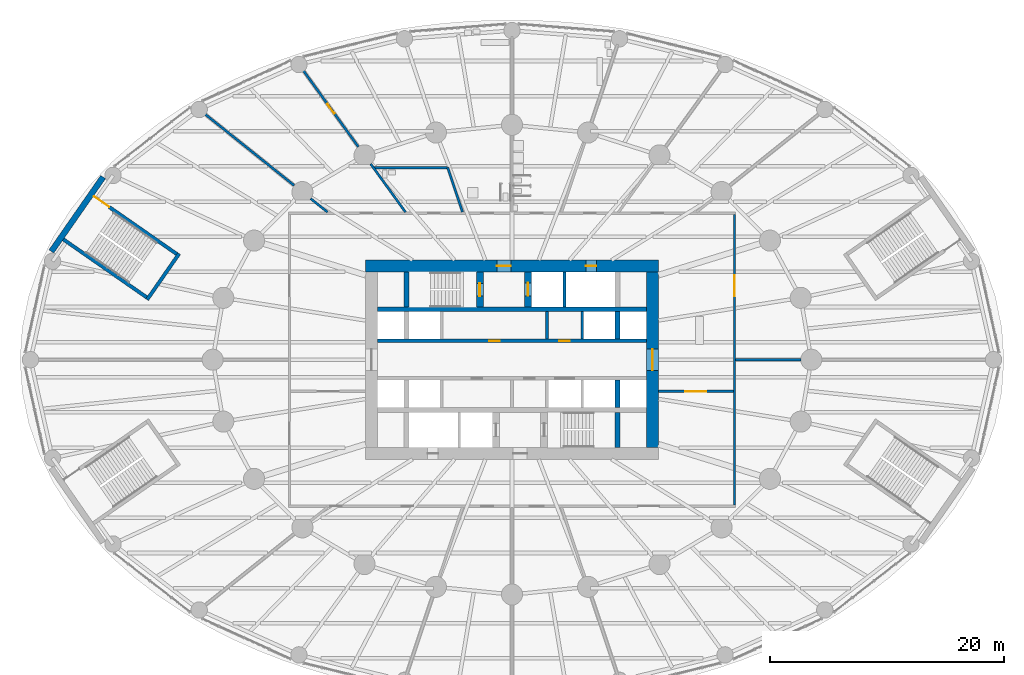
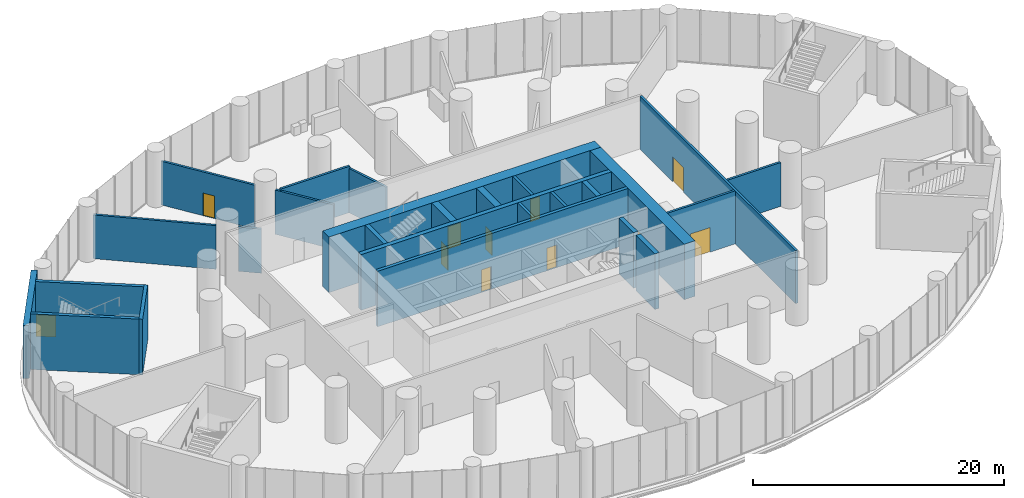
# One storey, part 17 of 23: 26 walls, 11 doors, 11 openings.
"""IFC4 building model written with IfcOpenShell, lengths in metres."""

from ifc_helpers import new_model, si_unit, direction, frame, frame_2d, origin, place, context, subcontext, project, spatial, rectangle, extrude, material, layer, layer_set, type_object, element, fill, save


model = new_model("IFC4")

# Units and contexts
model_context = context("Model", 3, precision=1e-05, world=origin(), true_north=direction((0.0, 1.0)))
body_context = subcontext(model_context, "Body", "Model", "MODEL_VIEW")
ifc_project = project(units=[si_unit("LENGTHUNIT", "METRE"), si_unit("AREAUNIT", "SQUARE_METRE"), si_unit("VOLUMEUNIT", "CUBIC_METRE"), si_unit("PLANEANGLEUNIT", "RADIAN"), si_unit("MASSUNIT", "GRAM", prefix="KILO")], contexts=[model_context])

# Site, building, storey
site_placement = place(None, origin())
site = spatial("IfcSite", under=ifc_project, at=site_placement, CompositionType="ELEMENT")
building_placement = place(site_placement, origin())
building = spatial("IfcBuilding", under=site, at=building_placement, Name="Hankou Lantern Tower", CompositionType="ELEMENT")
storey_placement = place(building_placement, frame((0.0, 0.0, 19.199951171875)))
storey = spatial("IfcBuildingStorey", under=building, at=storey_placement, Name="L03", CompositionType="ELEMENT", Elevation=19.199951171875)

# Wall, openings, doors
ifc_material_1 = material(Name="Concrete C60", Category="concrete")
ifc_layer_1 = layer(ifc_material_1, 1.0)
ifc_layer_set_1 = layer_set([ifc_layer_1], Name="Concrete C60")
wall_type_1 = type_object("IfcWallType", Name="CW1 CORE WALL 1000", PredefinedType="SHEAR", material=ifc_layer_set_1)
wall_1_placement = place(storey_placement, frame((-12.5, 8.0, 0.0), z_axis=(0.0, 0.0, 1.0), x_axis=(1.0, 0.0, 0.0)))
wall_1 = element("IfcWall", 1, at=wall_1_placement, inside=storey, type_object=wall_type_1, Name="Core wall north L03", PredefinedType="SHEAR", context=body_context, shape_type="SweptSolid", body=[
    extrude(rectangle(XDim=25.0, YDim=1.0, at=frame_2d((12.5, 0.0))), origin(), (0.0, 0.0, 1.0), 5.400146484375),
])
opening_1_placement = place(wall_1_placement, frame((11.199951171875, 0.0, 0.0)))
opening_1 = element("IfcOpeningElement", 2, at=opening_1_placement, cuts=wall_1, Name="Opening D5", PredefinedType="OPENING", context=body_context, shape_type="SweptSolid", body=[
    extrude(rectangle(XDim=1.199951171875, YDim=2.199951171875, at=frame_2d((0.60009765625, 1.10009765625))), frame((0.0, 0.510009765625, 0.0), z_axis=(0.0, -1.0, 0.0), x_axis=(1.0, 0.0, 0.0)), (0.0, 0.0, 1.0), 1.02001953125),
])
opening_2_placement = place(wall_1_placement, frame((18.800048828125, 0.0, 0.0)))
opening_2 = element("IfcOpeningElement", 3, at=opening_2_placement, cuts=wall_1, Name="Opening D7", PredefinedType="OPENING", context=body_context, shape_type="SweptSolid", body=[
    extrude(rectangle(XDim=0.89990234375, YDim=2.199951171875, at=frame_2d((0.449951171875, 1.10009765625))), frame((0.0, 0.510009765625, 0.0), z_axis=(0.0, -1.0, 0.0), x_axis=(1.0, 0.0, 0.0)), (0.0, 0.0, 1.0), 1.02001953125),
])
ifc_material_2 = material(Name="Steel door leaf", Category="steel")
door_type_1 = type_object("IfcDoorType", Name="D5 STAIR LOBBY DOOR 1200X2200", OperationType="SINGLE_SWING_LEFT", PredefinedType="DOOR", material=ifc_material_2)
door_1_placement = place(opening_1_placement, origin())
door_1 = element("IfcDoor", 4, at=door_1_placement, inside=storey, type_object=door_type_1, Name="Stair A lobby door", OperationType="SINGLE_SWING_LEFT", OverallHeight=2.199951171875, OverallWidth=1.199951171875, PredefinedType="DOOR", context=body_context, shape_type="SweptSolid", body=[
    extrude(rectangle(XDim=1.199951171875, YDim=2.199951171875, at=frame_2d((0.60009765625, 1.10009765625))), frame((0.0, 0.02490234375, 0.0), z_axis=(0.0, -1.0, 0.0), x_axis=(1.0, 0.0, 0.0)), (0.0, 0.0, 1.0), 0.050048828125),
])
fill(opening_1, door_1)
ifc_material_3 = material(Name="Steel door leaf", Category="steel")
door_type_2 = type_object("IfcDoorType", Name="D7 RISER DOOR 900X2200", OperationType="SINGLE_SWING_LEFT", PredefinedType="DOOR", material=ifc_material_3)
door_2_placement = place(opening_2_placement, origin())
door_2 = element("IfcDoor", 5, at=door_2_placement, inside=storey, type_object=door_type_2, Name="Riser N1 door", OperationType="SINGLE_SWING_RIGHT", OverallHeight=2.199951171875, OverallWidth=0.89990234375, PredefinedType="DOOR", context=body_context, shape_type="SweptSolid", body=[
    extrude(rectangle(XDim=0.89990234375, YDim=2.199951171875, at=frame_2d((0.449951171875, 1.10009765625))), frame((0.0, 0.02490234375, 0.0), z_axis=(0.0, -1.0, 0.0), x_axis=(1.0, 0.0, 0.0)), (0.0, 0.0, 1.0), 0.050048828125),
])
fill(opening_2, door_2)

# Wall, opening, door
wall_2_placement = place(storey_placement, frame((12.0, -7.5, 0.0), z_axis=(0.0, 0.0, 1.0), x_axis=(0.0, 1.0, 0.0)))
wall_2 = element("IfcWall", 6, at=wall_2_placement, inside=storey, type_object=wall_type_1, Name="Core wall east L03", PredefinedType="SHEAR", context=body_context, shape_type="SweptSolid", body=[
    extrude(rectangle(XDim=15.0, YDim=1.0, at=frame_2d((7.5, 0.0))), origin(), (0.0, 0.0, 1.0), 5.400146484375),
])
opening_3_placement = place(wall_2_placement, frame((6.60009765625, 0.0, 0.0)))
opening_3 = element("IfcOpeningElement", 7, at=opening_3_placement, cuts=wall_2, Name="Opening D6", PredefinedType="OPENING", context=body_context, shape_type="SweptSolid", body=[
    extrude(rectangle(XDim=1.800048828125, YDim=2.199951171875, at=frame_2d((0.89990234375, 1.10009765625))), frame((0.0, 0.510009765625, 0.0), z_axis=(0.0, -1.0, 0.0), x_axis=(1.0, 0.0, 0.0)), (0.0, 0.0, 1.0), 1.02001953125),
])
ifc_material_4 = material(Name="Steel door leaf", Category="steel")
door_type_3 = type_object("IfcDoorType", Name="D6 LIFT LOBBY DOOR 1800X2200", OperationType="DOUBLE_DOOR_DOUBLE_SWING", PredefinedType="DOOR", material=ifc_material_4)
door_3_placement = place(opening_3_placement, origin())
door_3 = element("IfcDoor", 8, at=door_3_placement, inside=storey, type_object=door_type_3, Name="Lift lobby east door", OperationType="DOUBLE_DOOR_DOUBLE_SWING", OverallHeight=2.199951171875, OverallWidth=1.800048828125, PredefinedType="DOOR", context=body_context, shape_type="SweptSolid", body=[
    extrude(rectangle(XDim=1.800048828125, YDim=2.199951171875, at=frame_2d((0.89990234375, 1.10009765625))), frame((0.0, 0.02490234375, 0.0), z_axis=(0.0, -1.0, 0.0), x_axis=(1.0, 0.0, 0.0)), (0.0, 0.0, 1.0), 0.050048828125),
])
fill(opening_3, door_3)

# Walls
ifc_material_5 = material(Name="Concrete C60", Category="concrete")
ifc_layer_2 = layer(ifc_material_5, 0.39990234375)
ifc_layer_set_2 = layer_set([ifc_layer_2], Name="Concrete C60")
wall_type_2 = type_object("IfcWallType", Name="CW4 CORE CROSS WALL 400", PredefinedType="SHEAR", material=ifc_layer_set_2)
wall_3_placement = place(storey_placement, frame((-11.5, 4.300048828125, 0.0), z_axis=(0.0, 0.0, 1.0), x_axis=(1.0, 0.0, 0.0)))
element("IfcWall", 9, at=wall_3_placement, inside=storey, type_object=wall_type_2, Name="Core band wall north L03", PredefinedType="SHEAR", context=body_context, shape_type="SweptSolid", body=[
    extrude(rectangle(XDim=23.0, YDim=0.39990234375, at=frame_2d((11.5, 0.0))), origin(), (0.0, 0.0, 1.0), 5.400146484375),
])
wall_4_placement = place(storey_placement, frame((-9.0, 4.5, 0.0), z_axis=(0.0, 0.0, 1.0), x_axis=(0.0, 1.0, 0.0)))
element("IfcWall", 10, at=wall_4_placement, inside=storey, type_object=wall_type_2, Name="Core strip wall L03", PredefinedType="SHEAR", context=body_context, shape_type="SweptSolid", body=[
    extrude(rectangle(XDim=3.0, YDim=0.39990234375, at=frame_2d((1.5, 0.0))), origin(), (0.0, 0.0, 1.0), 5.400146484375),
])
for number, where, z_axis, x_axis, name in (
    (11, (9.0, 1.75, 0.0), (0.0, 0.0, 1.0), (0.0, 1.0, 0.0), "Core strip wall L03"),
    (12, (9.0, -4.10009765625, 0.0), (0.0, 0.0, 1.0), (0.0, 1.0, 0.0), "Core strip wall L03"),
):
    element("IfcWall", number, at=place(storey_placement, frame(where, z_axis=z_axis, x_axis=x_axis)), inside=storey, type_object=wall_type_2, Name=name, PredefinedType="SHEAR", context=body_context, shape_type="SweptSolid", body=[
        extrude(rectangle(XDim=2.35009765625, YDim=0.39990234375, at=frame_2d((1.175048828125, 0.0))), origin(), (0.0, 0.0, 1.0), 5.400146484375),
    ])
wall_5_placement = place(storey_placement, frame((9.0, -7.5, 0.0), z_axis=(0.0, 0.0, 1.0), x_axis=(0.0, 1.0, 0.0)))
element("IfcWall", 13, at=wall_5_placement, inside=storey, type_object=wall_type_2, Name="Core strip wall L03", PredefinedType="SHEAR", context=body_context, shape_type="SweptSolid", body=[
    extrude(rectangle(XDim=3.0, YDim=0.39990234375, at=frame_2d((1.5, 0.0))), origin(), (0.0, 0.0, 1.0), 5.400146484375),
])

# Wall, openings, doors
ifc_material_6 = material(Name="Concrete C60", Category="concrete")
ifc_layer_3 = layer(ifc_material_6, 0.300048828125)
ifc_layer_set_3 = layer_set([ifc_layer_3], Name="Concrete C60")
wall_type_3 = type_object("IfcWallType", Name="CW5 LIFT LOBBY WALL 300", PredefinedType="SHEAR", material=ifc_layer_set_3)
wall_6_placement = place(storey_placement, frame((-11.5, 1.60009765625, 0.0), z_axis=(0.0, 0.0, 1.0), x_axis=(1.0, 0.0, 0.0)))
wall_6 = element("IfcWall", 14, at=wall_6_placement, inside=storey, type_object=wall_type_3, Name="Lift lobby wall north L03", PredefinedType="SHEAR", context=body_context, shape_type="SweptSolid", body=[
    extrude(rectangle(XDim=23.0, YDim=0.300048828125, at=frame_2d((11.5, 0.0))), origin(), (0.0, 0.0, 1.0), 5.400146484375),
])
opening_4_placement = place(wall_6_placement, frame((9.550048828125, 0.0, 0.0)))
opening_4 = element("IfcOpeningElement", 15, at=opening_4_placement, cuts=wall_6, Name="Opening D30", PredefinedType="OPENING", context=body_context, shape_type="SweptSolid", body=[
    extrude(rectangle(XDim=0.89990234375, YDim=2.199951171875, at=frame_2d((0.449951171875, 1.10009765625))), frame((0.0, 0.159912109375, 0.0), z_axis=(0.0, -1.0, 0.0), x_axis=(1.0, 0.0, 0.0)), (0.0, 0.0, 1.0), 0.320068359375),
])
opening_5_placement = place(wall_6_placement, frame((15.550048828125, 0.0, 0.0)))
opening_5 = element("IfcOpeningElement", 16, at=opening_5_placement, cuts=wall_6, Name="Opening D30", PredefinedType="OPENING", context=body_context, shape_type="SweptSolid", body=[
    extrude(rectangle(XDim=0.89990234375, YDim=2.199951171875, at=frame_2d((0.449951171875, 1.10009765625))), frame((0.0, 0.159912109375, 0.0), z_axis=(0.0, -1.0, 0.0), x_axis=(1.0, 0.0, 0.0)), (0.0, 0.0, 1.0), 0.320068359375),
])
ifc_material_7 = material(Name="Steel door leaf", Category="steel")
door_type_4 = type_object("IfcDoorType", Name="D30 CORE ROOM DOOR 900X2200", OperationType="SINGLE_SWING_LEFT", PredefinedType="DOOR", material=ifc_material_7)
door_4_placement = place(opening_4_placement, origin())
door_4 = element("IfcDoor", 17, at=door_4_placement, inside=storey, type_object=door_type_4, Name="AV and furniture store door", OperationType="SINGLE_SWING_LEFT", OverallHeight=2.199951171875, OverallWidth=0.89990234375, PredefinedType="DOOR", context=body_context, shape_type="SweptSolid", body=[
    extrude(rectangle(XDim=0.89990234375, YDim=2.199951171875, at=frame_2d((0.449951171875, 1.10009765625))), frame((0.0, 0.02490234375, 0.0), z_axis=(0.0, -1.0, 0.0), x_axis=(1.0, 0.0, 0.0)), (0.0, 0.0, 1.0), 0.050048828125),
])
fill(opening_4, door_4)
door_5_placement = place(opening_5_placement, origin())
door_5 = element("IfcDoor", 18, at=door_5_placement, inside=storey, type_object=door_type_4, Name="Spa linen store door", OperationType="SINGLE_SWING_RIGHT", OverallHeight=2.199951171875, OverallWidth=0.89990234375, PredefinedType="DOOR", context=body_context, shape_type="SweptSolid", body=[
    extrude(rectangle(XDim=0.89990234375, YDim=2.199951171875, at=frame_2d((0.449951171875, 1.10009765625))), frame((0.0, 0.02490234375, 0.0), z_axis=(0.0, -1.0, 0.0), x_axis=(1.0, 0.0, 0.0)), (0.0, 0.0, 1.0), 0.050048828125),
])
fill(opening_5, door_5)

# Wall, opening, door
ifc_material_8 = material(Name="Concrete C60", Category="concrete")
ifc_layer_4 = layer(ifc_material_8, 0.60009765625)
ifc_layer_set_4 = layer_set([ifc_layer_4], Name="Concrete C60")
wall_type_4 = type_object("IfcWallType", Name="CW6 STAIR AND SHAFT WALL 600", PredefinedType="SHEAR", material=ifc_layer_set_4)
wall_7_placement = place(storey_placement, frame((-2.75, 4.5, 0.0), z_axis=(0.0, 0.0, 1.0), x_axis=(0.0, 1.0, 0.0)))
wall_7 = element("IfcWall", 19, at=wall_7_placement, inside=storey, type_object=wall_type_4, Name="Stair wall L03", PredefinedType="SHEAR", context=body_context, shape_type="SweptSolid", body=[
    extrude(rectangle(XDim=3.0, YDim=0.60009765625, at=frame_2d((1.5, 0.0))), origin(), (0.0, 0.0, 1.0), 5.400146484375),
])
opening_6_placement = place(wall_7_placement, frame((0.925048828125, 0.0, 0.0)))
opening_6 = element("IfcOpeningElement", 20, at=opening_6_placement, cuts=wall_7, Name="Opening D4", PredefinedType="OPENING", context=body_context, shape_type="SweptSolid", body=[
    extrude(rectangle(XDim=1.10009765625, YDim=2.199951171875, at=frame_2d((0.550048828125, 1.10009765625))), frame((0.0, 0.31005859375, 0.0), z_axis=(0.0, -1.0, 0.0), x_axis=(1.0, 0.0, 0.0)), (0.0, 0.0, 1.0), 0.6201171875),
])
ifc_material_9 = material(Name="Steel door leaf", Category="steel")
door_type_5 = type_object("IfcDoorType", Name="D4 STAIR DOOR 1100X2200", OperationType="SINGLE_SWING_LEFT", PredefinedType="DOOR", material=ifc_material_9)
door_6_placement = place(opening_6_placement, origin())
door_6 = element("IfcDoor", 21, at=door_6_placement, inside=storey, type_object=door_type_5, Name="Stair A door", OperationType="SINGLE_SWING_LEFT", OverallHeight=2.199951171875, OverallWidth=1.10009765625, PredefinedType="DOOR", context=body_context, shape_type="SweptSolid", body=[
    extrude(rectangle(XDim=1.10009765625, YDim=2.199951171875, at=frame_2d((0.550048828125, 1.10009765625))), frame((0.0, 0.02490234375, 0.0), z_axis=(0.0, -1.0, 0.0), x_axis=(1.0, 0.0, 0.0)), (0.0, 0.0, 1.0), 0.050048828125),
])
fill(opening_6, door_6)

wall_8_placement = place(storey_placement, frame((1.35009765625, 4.5, 0.0), z_axis=(0.0, 0.0, 1.0), x_axis=(0.0, 1.0, 0.0)))
wall_8 = element("IfcWall", 22, at=wall_8_placement, inside=storey, type_object=wall_type_4, Name="Firefighting lift shaft wall L03", PredefinedType="SHEAR", context=body_context, shape_type="SweptSolid", body=[
    extrude(rectangle(XDim=3.0, YDim=0.60009765625, at=frame_2d((1.5, 0.0))), origin(), (0.0, 0.0, 1.0), 5.400146484375),
])
opening_7_placement = place(wall_8_placement, frame((0.949951171875, 0.0, 0.0)))
opening_7 = element("IfcOpeningElement", 23, at=opening_7_placement, cuts=wall_8, Name="Opening LD2", PredefinedType="OPENING", context=body_context, shape_type="SweptSolid", body=[
    extrude(rectangle(XDim=1.10009765625, YDim=2.199951171875, at=frame_2d((0.550048828125, 1.10009765625))), frame((0.0, 0.31005859375, 0.0), z_axis=(0.0, -1.0, 0.0), x_axis=(1.0, 0.0, 0.0)), (0.0, 0.0, 1.0), 0.6201171875),
])
ifc_material_10 = material(Name="Steel door leaf", Category="steel")
door_type_6 = type_object("IfcDoorType", Name="LD2 FIREFIGHTING LIFT LANDING DOOR 1100X2200", OperationType="DOUBLE_DOOR_SLIDING", PredefinedType="DOOR", material=ifc_material_10)
door_7_placement = place(opening_7_placement, origin())
door_7 = element("IfcDoor", 24, at=door_7_placement, inside=storey, type_object=door_type_6, Name="Firefighting lift FL1 landing door", OperationType="DOUBLE_DOOR_SLIDING", OverallHeight=2.199951171875, OverallWidth=1.10009765625, PredefinedType="DOOR", context=body_context, shape_type="SweptSolid", body=[
    extrude(rectangle(XDim=1.10009765625, YDim=2.199951171875, at=frame_2d((0.550048828125, 1.10009765625))), frame((0.0, 0.02490234375, 0.0), z_axis=(0.0, -1.0, 0.0), x_axis=(1.0, 0.0, 0.0)), (0.0, 0.0, 1.0), 0.050048828125),
])
fill(opening_7, door_7)

ifc_material_11 = material(Name="Concrete C50", Category="concrete")
ifc_layer_5 = layer(ifc_material_11, 0.300048828125)
ifc_layer_set_5 = layer_set([ifc_layer_5], Name="Concrete C50")
wall_type_5 = type_object("IfcWallType", Name="CW7 PODIUM STAIR WALL 300", PredefinedType="SHEAR", material=ifc_layer_set_5)
wall_9_placement = place(storey_placement, frame((-35.7294921875, 13.968017578125, 0.0), z_axis=(0.0, 0.0, 1.0), x_axis=(0.82092761123, -0.571032273274, 0.0)))
wall_9 = element("IfcWall", 25, at=wall_9_placement, inside=storey, type_object=wall_type_5, Name="Podium stair P2 wall", PredefinedType="SHEAR", context=body_context, shape_type="SweptSolid", body=[
    extrude(rectangle(XDim=8.659912109375, YDim=0.300048828125, at=frame_2d((4.330078125, 0.0))), origin(), (0.0, 0.0, 1.0), 5.400146484375),
])
opening_8_placement = place(wall_9_placement, frame((0.050048828125, 0.0, 0.0)))
opening_8 = element("IfcOpeningElement", 26, at=opening_8_placement, cuts=wall_9, Name="Opening D16", PredefinedType="OPENING", context=body_context, shape_type="SweptSolid", body=[
    extrude(rectangle(XDim=1.60009765625, YDim=2.10009765625, at=frame_2d((0.800048828125, 1.050048828125))), frame((0.0, 0.159912109375, 0.0), z_axis=(0.0, -1.0, 0.0), x_axis=(1.0, 0.0, 0.0)), (0.0, 0.0, 1.0), 0.320068359375),
])
ifc_material_12 = material(Name="Steel door leaf", Category="steel")
door_type_7 = type_object("IfcDoorType", Name="D16 PODIUM STAIR DOOR 1600X2100", OperationType="SINGLE_SWING_LEFT", PredefinedType="DOOR", material=ifc_material_12)
door_8_placement = place(opening_8_placement, origin())
door_8 = element("IfcDoor", 27, at=door_8_placement, inside=storey, type_object=door_type_7, Name="Podium stair P2 door", OperationType="SINGLE_SWING_LEFT", OverallHeight=2.10009765625, OverallWidth=1.60009765625, PredefinedType="DOOR", context=body_context, shape_type="SweptSolid", body=[
    extrude(rectangle(XDim=1.60009765625, YDim=2.10009765625, at=frame_2d((0.800048828125, 1.050048828125))), frame((0.0, 0.02490234375, 0.0), z_axis=(0.0, -1.0, 0.0), x_axis=(1.0, 0.0, 0.0)), (0.0, 0.0, 1.0), 0.050048828125),
])
fill(opening_8, door_8)

# Walls
wall_10_placement = place(storey_placement, frame((-38.29931640625, 10.273681640625, 0.0), z_axis=(0.0, 0.0, 1.0), x_axis=(0.820936803751, -0.571019057692, 0.0)))
element("IfcWall", 28, at=wall_10_placement, inside=storey, type_object=wall_type_5, Name="Podium stair P2 wall", PredefinedType="SHEAR", context=body_context, shape_type="SweptSolid", body=[
    extrude(rectangle(XDim=8.66015625, YDim=0.300048828125, at=frame_2d((4.330078125, 0.0))), origin(), (0.0, 0.0, 1.0), 5.400146484375),
])
wall_11_placement = place(storey_placement, frame((-28.41162109375, 9.060302734375, 0.0), z_axis=(0.0, 0.0, 1.0), x_axis=(-0.571036173178, -0.820924898467, 0.0)))
element("IfcWall", 29, at=wall_11_placement, inside=storey, type_object=wall_type_5, Name="Podium stair P2 wall", PredefinedType="SHEAR", context=body_context, shape_type="SweptSolid", body=[
    extrude(rectangle(XDim=4.800048828125, YDim=0.300048828125, at=frame_2d((2.39990234375, 0.0))), origin(), (0.0, 0.0, 1.0), 5.400146484375),
])
ifc_material_13 = material(Name="Granite cladding on reinforced concrete C50", Category="masonry")
ifc_layer_6 = layer(ifc_material_13, 0.5)
ifc_layer_set_6 = layer_set([ifc_layer_6], Name="Granite cladding on reinforced concrete C50")
wall_type_6 = type_object("IfcWallType", Name="EW2 STONE PORTAL WALL 500", PredefinedType="SOLIDWALL", material=ifc_layer_set_6)
wall_12_placement = place(storey_placement, frame((-34.90478515625, 15.591552734375, 0.0), z_axis=(0.0, 0.0, 1.0), x_axis=(-0.571029335057, -0.820929655028, 0.0)))
element("IfcWall", 30, at=wall_12_placement, inside=storey, type_object=wall_type_6, Name="Portal wall R11 L03", PredefinedType="SOLIDWALL", context=body_context, shape_type="SweptSolid", body=[
    extrude(rectangle(XDim=7.732666015625, YDim=0.5, at=frame_2d((3.8662109375, 0.0))), origin(), (0.0, 0.0, 1.0), 5.150146484375),
])

# Wall, opening, door
ifc_material_14 = material(Name="Masonry dense concrete block", Category="masonry")
ifc_layer_7 = layer(ifc_material_14, 0.199951171875)
ifc_layer_set_7 = layer_set([ifc_layer_7], Name="Masonry dense concrete block")
wall_type_7 = type_object("IfcWallType", Name="FW1 COMPARTMENT FIRE WALL 200", PredefinedType="PARTITIONING", material=ifc_layer_set_7)
wall_13_placement = place(storey_placement, frame((19.0, -12.39990234375, 0.0), z_axis=(0.0, 0.0, 1.0), x_axis=(0.0, 1.0, 0.0)))
wall_13 = element("IfcWall", 31, at=wall_13_placement, inside=storey, type_object=wall_type_7, Name="Foyer fire wall east", PredefinedType="PARTITIONING", context=body_context, shape_type="SweptSolid", body=[
    extrude(rectangle(XDim=24.7998046875, YDim=0.199951171875, at=frame_2d((12.39990234375, 0.0))), origin(), (0.0, 0.0, 1.0), 5.150146484375),
])
opening_9_placement = place(wall_13_placement, frame((17.800048828125, 0.0, 0.0)))
opening_9 = element("IfcOpeningElement", 32, at=opening_9_placement, cuts=wall_13, Name="Opening D36", PredefinedType="OPENING", context=body_context, shape_type="SweptSolid", body=[
    extrude(rectangle(XDim=1.800048828125, YDim=2.39990234375, at=frame_2d((0.89990234375, 1.199951171875))), frame((0.0, 0.10986328125, 0.0), z_axis=(0.0, -1.0, 0.0), x_axis=(1.0, 0.0, 0.0)), (0.0, 0.0, 1.0), 0.219970703125),
])
ifc_material_15 = material(Name="Steel door leaf", Category="steel")
door_type_8 = type_object("IfcDoorType", Name="D36 CLASS A DOUBLE DOOR 1800X2400", OperationType="DOUBLE_DOOR_DOUBLE_SWING", PredefinedType="DOOR", material=ifc_material_15)
door_9_placement = place(opening_9_placement, origin())
door_9 = element("IfcDoor", 33, at=door_9_placement, inside=storey, type_object=door_type_8, Name="Spa waiting lounge door", OperationType="DOUBLE_DOOR_DOUBLE_SWING", OverallHeight=2.39990234375, OverallWidth=1.800048828125, PredefinedType="DOOR", context=body_context, shape_type="SweptSolid", body=[
    extrude(rectangle(XDim=1.800048828125, YDim=2.39990234375, at=frame_2d((0.89990234375, 1.199951171875))), frame((0.0, 0.02490234375, 0.0), z_axis=(0.0, -1.0, 0.0), x_axis=(1.0, 0.0, 0.0)), (0.0, 0.0, 1.0), 0.050048828125),
])
fill(opening_9, door_9)

# Wall
wall_14_placement = place(storey_placement, frame((19.10009765625, 0.0, 0.0), z_axis=(0.0, 0.0, 1.0), x_axis=(1.0, 0.0, 0.0)))
element("IfcWall", 34, at=wall_14_placement, inside=storey, type_object=wall_type_7, Name="Fire wall R01", PredefinedType="PARTITIONING", context=body_context, shape_type="SweptSolid", body=[
    extrude(rectangle(XDim=5.5498046875, YDim=0.199951171875, at=frame_2d((2.77490234375, 0.0))), origin(), (0.0, 0.0, 1.0), 4.25),
])

# Wall, opening, door
wall_15_placement = place(storey_placement, frame((18.89990234375, -2.699951171875, 0.0), z_axis=(0.0, 0.0, 1.0), x_axis=(-1.0, 0.0, 0.0)))
wall_15 = element("IfcWall", 35, at=wall_15_placement, inside=storey, type_object=wall_type_7, Name="Fire wall R01 across the foyer", PredefinedType="PARTITIONING", context=body_context, shape_type="SweptSolid", body=[
    extrude(rectangle(XDim=6.39990234375, YDim=0.199951171875, at=frame_2d((3.199951171875, 0.0))), origin(), (0.0, 0.0, 1.0), 5.150146484375),
])
opening_10_placement = place(wall_15_placement, frame((2.300048828125, 0.0, 0.0)))
opening_10 = element("IfcOpeningElement", 36, at=opening_10_placement, cuts=wall_15, Name="Opening D36", PredefinedType="OPENING", context=body_context, shape_type="SweptSolid", body=[
    extrude(rectangle(XDim=1.800048828125, YDim=2.39990234375, at=frame_2d((0.89990234375, 1.199951171875))), frame((0.0, 0.10986328125, 0.0), z_axis=(0.0, -1.0, 0.0), x_axis=(1.0, 0.0, 0.0)), (0.0, 0.0, 1.0), 0.219970703125),
])
door_10_placement = place(opening_10_placement, origin())
door_10 = element("IfcDoor", 37, at=door_10_placement, inside=storey, type_object=door_type_8, Name="Fire wall R01 door", OperationType="DOUBLE_DOOR_DOUBLE_SWING", OverallHeight=2.39990234375, OverallWidth=1.800048828125, PredefinedType="DOOR", context=body_context, shape_type="SweptSolid", body=[
    extrude(rectangle(XDim=1.800048828125, YDim=2.39990234375, at=frame_2d((0.89990234375, 1.199951171875))), frame((0.0, 0.02490234375, 0.0), z_axis=(0.0, -1.0, 0.0), x_axis=(1.0, 0.0, 0.0)), (0.0, 0.0, 1.0), 0.050048828125),
])
fill(opening_10, door_10)

# Walls
ifc_material_16 = material(Name="Masonry lightweight concrete block", Category="masonry")
ifc_layer_8 = layer(ifc_material_16, 0.199951171875)
ifc_layer_set_8 = layer_set([ifc_layer_8], Name="Masonry lightweight concrete block")
wall_type_8 = type_object("IfcWallType", Name="IW8 PARTITION 200", PredefinedType="PARTITIONING", material=ifc_layer_set_8)
wall_16_placement = place(storey_placement, frame((-4.22021484375, 12.60009765625, 0.0), z_axis=(0.0, 0.0, 1.0), x_axis=(-0.317598232025, 0.948225375644, 0.0)))
element("IfcWall", 38, at=wall_16_placement, inside=storey, type_object=wall_type_8, Name="Partition R08", PredefinedType="PARTITIONING", context=body_context, shape_type="SweptSolid", body=[
    extrude(rectangle(XDim=4.00732421875, YDim=0.199951171875, at=frame_2d((2.003662109375, 0.0))), origin(), (0.0, 0.0, 1.0), 4.300048828125),
])
wall_17_placement = place(storey_placement, frame((-9.09326171875, 12.60009765625, 0.0), z_axis=(0.0, 0.0, 1.0), x_axis=(-0.58522538525, 0.810870673079, 0.0)))
element("IfcWall", 39, at=wall_17_placement, inside=storey, type_object=wall_type_8, Name="Partition R09", PredefinedType="PARTITIONING", context=body_context, shape_type="SweptSolid", body=[
    extrude(rectangle(XDim=5.07666015625, YDim=0.199951171875, at=frame_2d((2.538330078125, 0.0))), origin(), (0.0, 0.0, 1.0), 4.300048828125),
])

# Wall, opening, door
wall_18_placement = place(storey_placement, frame((-13.11767578125, 18.17626953125, 0.0), z_axis=(0.0, 0.0, 1.0), x_axis=(-0.585204349301, 0.810885854828, 0.0)))
wall_18 = element("IfcWall", 40, at=wall_18_placement, inside=storey, type_object=wall_type_8, Name="Partition R09", PredefinedType="PARTITIONING", context=body_context, shape_type="SweptSolid", body=[
    extrude(rectangle(XDim=8.1611328125, YDim=0.199951171875, at=frame_2d((4.08056640625, 0.0))), origin(), (0.0, 0.0, 1.0), 4.25),
])
opening_11_placement = place(wall_18_placement, frame((3.5, 0.0, 0.0)))
opening_11 = element("IfcOpeningElement", 41, at=opening_11_placement, cuts=wall_18, Name="Opening D28", PredefinedType="OPENING", context=body_context, shape_type="SweptSolid", body=[
    extrude(rectangle(XDim=1.0, YDim=2.199951171875, at=frame_2d((0.5, 1.10009765625))), frame((0.0, 0.10986328125, 0.0), z_axis=(0.0, -1.0, 0.0), x_axis=(1.0, 0.0, 0.0)), (0.0, 0.0, 1.0), 0.219970703125),
])
ifc_material_17 = material(Name="Steel door leaf", Category="steel")
door_type_9 = type_object("IfcDoorType", Name="D28 SERVICE DOOR 1000X2200", OperationType="SINGLE_SWING_LEFT", PredefinedType="DOOR", material=ifc_material_17)
door_11_placement = place(opening_11_placement, origin())
door_11 = element("IfcDoor", 42, at=door_11_placement, inside=storey, type_object=door_type_9, Name="Female changing room door to treatment room 303", OperationType="SINGLE_SWING_LEFT", OverallHeight=2.199951171875, OverallWidth=1.0, PredefinedType="DOOR", context=body_context, shape_type="SweptSolid", body=[
    extrude(rectangle(XDim=1.0, YDim=2.199951171875, at=frame_2d((0.5, 1.10009765625))), frame((0.0, 0.02490234375, 0.0), z_axis=(0.0, -1.0, 0.0), x_axis=(1.0, 0.0, 0.0)), (0.0, 0.0, 1.0), 0.050048828125),
])
fill(opening_11, door_11)

# Walls
wall_19_placement = place(storey_placement, frame((-15.75, 12.60009765625, 0.0), z_axis=(0.0, 0.0, 1.0), x_axis=(-0.780881734892, 0.6246788904, 0.0)))
element("IfcWall", 43, at=wall_19_placement, inside=storey, type_object=wall_type_8, Name="Partition R10", PredefinedType="PARTITIONING", context=body_context, shape_type="SweptSolid", body=[
    extrude(rectangle(XDim=1.8427734375, YDim=0.199951171875, at=frame_2d((0.92138671875, 0.0))), origin(), (0.0, 0.0, 1.0), 4.300048828125),
])
wall_20_placement = place(storey_placement, frame((-18.594482421875, 14.87548828125, 0.0), z_axis=(0.0, 0.0, 1.0), x_axis=(-0.780868809443, 0.624695047554, 0.0)))
element("IfcWall", 44, at=wall_20_placement, inside=storey, type_object=wall_type_8, Name="Partition R10", PredefinedType="PARTITIONING", context=body_context, shape_type="SweptSolid", body=[
    extrude(rectangle(XDim=9.883056640625, YDim=0.199951171875, at=frame_2d((4.94140625, 0.0))), origin(), (0.0, 0.0, 1.0), 4.25),
])
wall_21_placement = place(storey_placement, frame((-5.492919921875, 16.39990234375, 0.0), z_axis=(0.0, 0.0, 1.0), x_axis=(-1.0, 0.0, 0.0)))
element("IfcWall", 45, at=wall_21_placement, inside=storey, type_object=wall_type_8, Name="Partition accessible WC back wall", PredefinedType="PARTITIONING", context=body_context, shape_type="SweptSolid", body=[
    extrude(rectangle(XDim=6.3427734375, YDim=0.199951171875, at=frame_2d((3.17138671875, 0.0))), origin(), (0.0, 0.0, 1.0), 4.5),
])
ifc_material_18 = material(Name="Masonry autoclaved aerated concrete block", Category="masonry")
ifc_layer_9 = layer(ifc_material_18, 0.25)
ifc_layer_set_9 = layer_set([ifc_layer_9], Name="Masonry autoclaved aerated concrete block")
wall_type_9 = type_object("IfcWallType", Name="SW1 SHAFT BLOCK WALL 250", PredefinedType="PARTITIONING", material=ifc_layer_set_9)
wall_22_placement = place(storey_placement, frame((4.5, 4.5, 0.0), z_axis=(0.0, 0.0, 1.0), x_axis=(0.0, 1.0, 0.0)))
element("IfcWall", 46, at=wall_22_placement, inside=storey, type_object=wall_type_9, Name="Riser wall L03", PredefinedType="PARTITIONING", context=body_context, shape_type="SweptSolid", body=[
    extrude(rectangle(XDim=3.0, YDim=0.25, at=frame_2d((1.5, 0.0))), origin(), (0.0, 0.0, 1.0), 5.400146484375),
])
for number, where, z_axis, x_axis, name in (
    (47, (3.0, 1.75, 0.0), (0.0, 0.0, 1.0), (0.0, 1.0, 0.0), "Lift shaft wall L03"),
    (48, (6.0, 1.75, 0.0), (0.0, 0.0, 1.0), (0.0, 1.0, 0.0), "Lift shaft wall L03"),
):
    element("IfcWall", number, at=place(storey_placement, frame(where, z_axis=z_axis, x_axis=x_axis)), inside=storey, type_object=wall_type_9, Name=name, PredefinedType="PARTITIONING", context=body_context, shape_type="SweptSolid", body=[
        extrude(rectangle(XDim=2.35009765625, YDim=0.25, at=frame_2d((1.175048828125, 0.0))), origin(), (0.0, 0.0, 1.0), 5.400146484375),
    ])

save(model, "model.ifc")
